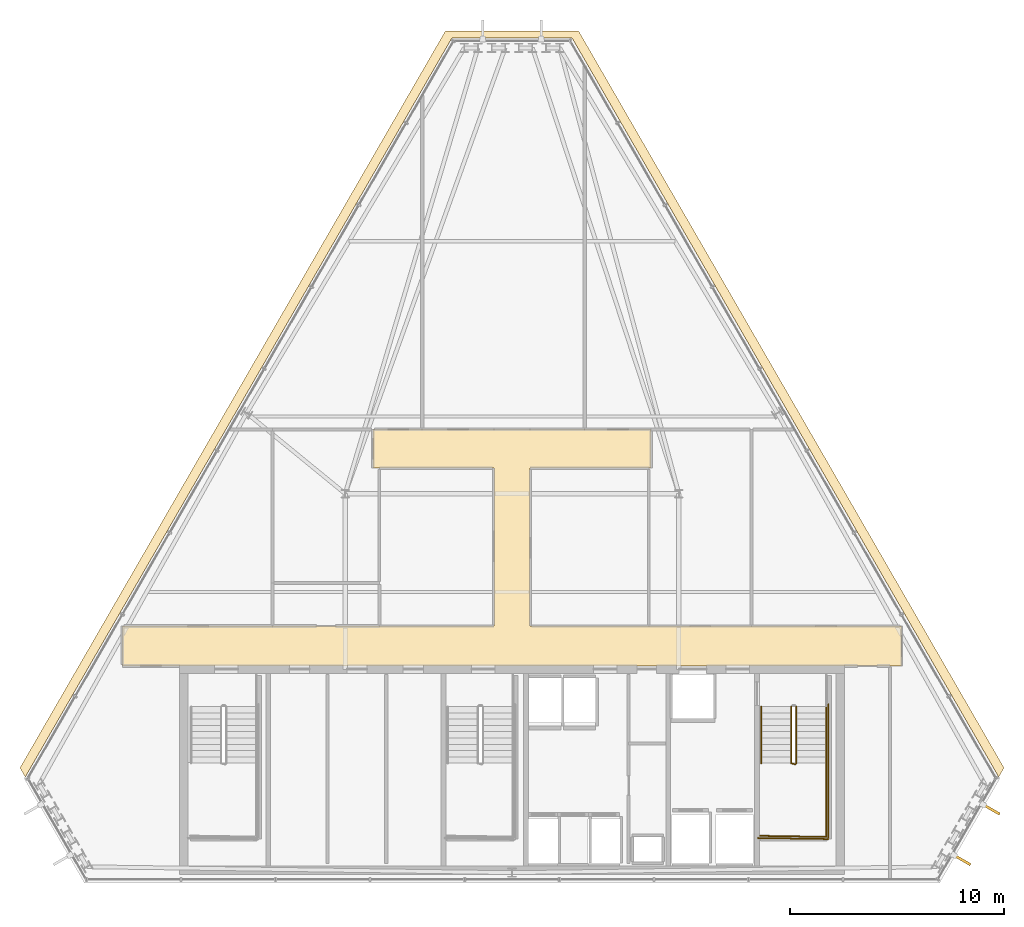
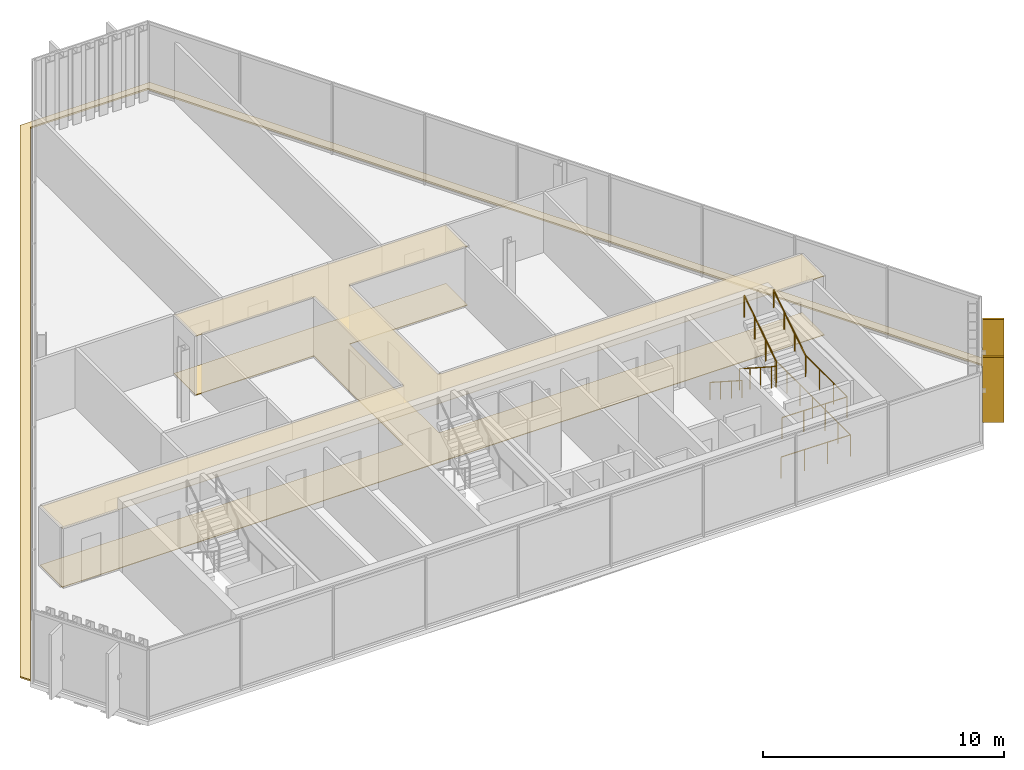
# One storey, part 33 of 34: 6 railings, 3 coverings, 2 shading devices.
"""IFC4 building model written with IfcOpenShell, lengths in metres."""

from ifc_helpers import new_model, si_unit, direction, frame, origin, origin_2d, place, context, subcontext, project, spatial, polyline, rectangle, circle, outline, extrude, material, layer, layer_set, type_object, element, save


model = new_model("IFC4")

# Units and contexts
model_context = context("Model", 3, precision=1e-05, world=origin(), true_north=direction((0.0, 1.0)))
body_context = subcontext(model_context, "Body", "Model", "MODEL_VIEW")
ifc_project = project(units=[si_unit("LENGTHUNIT", "METRE"), si_unit("AREAUNIT", "SQUARE_METRE"), si_unit("VOLUMEUNIT", "CUBIC_METRE"), si_unit("PLANEANGLEUNIT", "RADIAN"), si_unit("MASSUNIT", "GRAM", prefix="KILO")], contexts=[model_context])

# Site, building, storey
site_placement = place(None, origin())
site = spatial("IfcSite", under=ifc_project, at=site_placement, CompositionType="ELEMENT")
building_placement = place(site_placement, origin())
building = spatial("IfcBuilding", under=site, at=building_placement, Name="Ndaravel Arena Tower", CompositionType="ELEMENT")
storey_placement = place(building_placement, frame((0.0, 0.0, 263.60009765625)))
storey = spatial("IfcBuildingStorey", under=building, at=storey_placement, Name="L64", CompositionType="ELEMENT", Elevation=263.60009765625)

# Coverings
ifc_material_1 = material(Name="Acoustic Ceiling Tile", Category="finish")
ifc_layer_1 = layer(ifc_material_1, 0.02490234375)
ifc_layer_set_1 = layer_set([ifc_layer_1], Name="Acoustic Ceiling Tile")
covering_type_1 = type_object("IfcCoveringType", Name="COV-CEIL-AC600", PredefinedType="CEILING", material=ifc_layer_set_1)
covering_1_placement = place(storey_placement, frame((0.0, 0.0, 2.98046875)))
element("IfcCovering", 1, at=covering_1_placement, inside=storey, type_object=covering_type_1, Name="L64 Corridor Acoustic Ceiling", PredefinedType="CEILING", context=body_context, shape_type="SweptSolid", body=[
    extrude(outline(polyline([(60.216064453125, 17.0), (42.85009765625, 17.0), (42.85009765625, 24.39990234375), (48.5, 24.39990234375), (48.5, 26.199951171875), (42.85009765625, 26.199951171875), (41.14990234375, 26.199951171875), (35.5, 26.199951171875), (35.5, 24.39990234375), (41.14990234375, 24.39990234375), (41.14990234375, 17.0), (23.783935546875, 17.0), (23.783935546875, 15.14990234375), (60.216064453125, 15.14990234375), (60.216064453125, 17.0)])), origin(), (0.0, 0.0, 1.0), 0.02490234375),
])
ifc_material_2 = material(Name="Terrazzo", Category="stone")
ifc_layer_2 = layer(ifc_material_2, 0.030029296875)
ifc_layer_set_2 = layer_set([ifc_layer_2], Name="Terrazzo")
covering_type_2 = type_object("IfcCoveringType", Name="COV-FLOOR-TERRAZZO", PredefinedType="FLOORING", material=ifc_layer_set_2)
covering_2_placement = place(storey_placement, origin())
element("IfcCovering", 2, at=covering_2_placement, inside=storey, type_object=covering_type_2, Name="L64 Corridor Terrazzo Flooring", PredefinedType="FLOORING", context=body_context, shape_type="SweptSolid", body=[
    extrude(outline(polyline([(60.216064453125, 17.0), (42.85009765625, 17.0), (42.85009765625, 24.39990234375), (48.5, 24.39990234375), (48.5, 26.199951171875), (42.85009765625, 26.199951171875), (41.14990234375, 26.199951171875), (35.5, 26.199951171875), (35.5, 24.39990234375), (41.14990234375, 24.39990234375), (41.14990234375, 17.0), (23.783935546875, 17.0), (23.783935546875, 15.14990234375), (60.216064453125, 15.14990234375), (60.216064453125, 17.0)])), origin(), (0.0, 0.0, 1.0), 0.02978515625),
])
ifc_material_3 = material(Name="Roofing Membrane", Category="finish")
ifc_layer_3 = layer(ifc_material_3, 0.080078125)
ifc_layer_set_3 = layer_set([ifc_layer_3], Name="Roofing Membrane")
covering_type_3 = type_object("IfcCoveringType", Name="COV-ROOF-MEMB", PredefinedType="ROOFING", material=ifc_layer_set_3)
covering_3_placement = place(storey_placement, origin())
element("IfcCovering", 3, at=covering_3_placement, inside=storey, type_object=covering_type_3, Name="L64 Facet Setback Weathering Flashing", PredefinedType="ROOFING", context=body_context, shape_type="SweptSolid", body=[
    extrude(outline(polyline([(18.99853515625, 10.3798828125), (38.893798828125, 44.839599609375), (45.106201171875, 44.839599609375), (65.00146484375, 10.3798828125), (64.75537109375, 9.95361328125), (44.81103515625, 44.498291015625), (39.18896484375, 44.498291015625), (19.24462890625, 9.95361328125), (18.99853515625, 10.3798828125)])), origin(), (0.0, 0.0, 1.0), 0.079833984375),
])

# Railings
ifc_material_4 = material(Name="Steel S355", Category="steel")
ifc_layer_4 = layer(ifc_material_4, 0.06005859375)
ifc_layer_set_4 = layer_set([ifc_layer_4], Name="Steel S355")
railing_type_1 = type_object("IfcRailingType", Name="RAIL-STAIR-GD1100", PredefinedType="GUARDRAIL", material=ifc_layer_set_4)
railing_1_placement = place(storey_placement, frame((55.050048828125, 13.25, 0.18994140625)))
element("IfcRailing", 4, at=railing_1_placement, inside=storey, type_object=railing_type_1, Name="L64 ST-3 stair guard 1", PredefinedType="GUARDRAIL", context=body_context, shape_type="SweptSolid", body=[
    extrude(circle(Radius=0.02392578125, at=origin_2d()), frame((0.0, 0.0, 1.076171875), z_axis=(0.0, -0.840723540582, 0.54146461409), x_axis=(1.0, 0.0, 0.0)), (0.0, 0.0, 1.0), 3.157958984375),
    extrude(circle(Radius=0.02392578125, at=origin_2d()), frame((0.0, -2.655029296875, 2.7861328125), z_axis=(0.966993988697, -0.254799187253, 0.0), x_axis=(0.254799187253, 0.966993988697, 0.0)), (0.0, 0.0, 1.0), 0.196533203125),
    extrude(circle(Radius=0.02099609375, at=origin_2d()), origin(), (0.0, 0.0, 1.0), 1.052001953125),
    extrude(circle(Radius=0.02099609375, at=origin_2d()), frame((0.0, -0.885009765625, 0.570068359375)), (0.0, 0.0, 1.0), 1.052001953125),
    extrude(circle(Radius=0.02099609375, at=origin_2d()), frame((0.0, -1.77001953125, 1.139892578125)), (0.0, 0.0, 1.0), 1.052001953125),
    extrude(circle(Radius=0.02099609375, at=origin_2d()), frame((0.0, -2.655029296875, 1.7099609375)), (0.0, 0.0, 1.0), 1.052001953125),
    extrude(circle(Radius=0.02099609375, at=origin_2d()), frame((0.18994140625, -2.705078125, 1.7099609375)), (0.0, 0.0, 1.0), 1.052001953125),
])
railing_2_placement = place(storey_placement, frame((56.68994140625, 10.594970703125, 1.89990234375)))
element("IfcRailing", 5, at=railing_2_placement, inside=storey, type_object=railing_type_1, Name="L64 ST-3 stair guard 2", PredefinedType="GUARDRAIL", context=body_context, shape_type="SweptSolid", body=[
    extrude(circle(Radius=0.02392578125, at=origin_2d()), frame((0.0, 0.0, 1.076171875), z_axis=(0.0, -1.0, 0.0), x_axis=(1.0, 0.0, 0.0)), (0.0, 0.0, 1.0), 3.445068359375),
    extrude(circle(Radius=0.02392578125, at=origin_2d()), frame((0.0, -3.445068359375, 1.076171875), z_axis=(-0.999868840623, 0.016195726322, 0.0), x_axis=(-0.016195726322, -0.999868840623, 0.0)), (0.0, 0.0, 1.0), 3.09033203125),
    extrude(circle(Radius=0.02099609375, at=origin_2d()), origin(), (0.0, 0.0, 1.0), 1.052001953125),
    extrude(circle(Radius=0.02099609375, at=origin_2d()), frame((0.0, -1.1484375, 0.0)), (0.0, 0.0, 1.0), 1.052001953125),
    extrude(circle(Radius=0.02099609375, at=origin_2d()), frame((0.0, -2.296630859375, 0.0)), (0.0, 0.0, 1.0), 1.052001953125),
    extrude(circle(Radius=0.02099609375, at=origin_2d()), frame((0.0, -3.445068359375, 0.0)), (0.0, 0.0, 1.0), 1.052001953125),
    extrude(circle(Radius=0.02099609375, at=origin_2d()), frame((-1.030029296875, -3.428466796875, 0.0)), (0.0, 0.0, 1.0), 1.052001953125),
    extrude(circle(Radius=0.02099609375, at=origin_2d()), frame((-2.059814453125, -3.41162109375, 0.0)), (0.0, 0.0, 1.0), 1.052001953125),
    extrude(circle(Radius=0.02099609375, at=origin_2d()), frame((-3.08984375, -3.39501953125, 0.0)), (0.0, 0.0, 1.0), 1.052001953125),
])
railing_3_placement = place(storey_placement, frame((55.2900390625, 10.594970703125, 2.08984375)))
element("IfcRailing", 6, at=railing_3_placement, inside=storey, type_object=railing_type_1, Name="L64 ST-3 stair guard 3", PredefinedType="GUARDRAIL", context=body_context, shape_type="SweptSolid", body=[
    extrude(circle(Radius=0.02392578125, at=origin_2d()), frame((0.0, 0.0, 1.076171875), z_axis=(0.0, 0.840723540582, 0.54146461409), x_axis=(-1.0, 0.0, 0.0)), (0.0, 0.0, 1.0), 3.157958984375),
    extrude(circle(Radius=0.02099609375, at=origin_2d()), origin(), (0.0, 0.0, 1.0), 1.052001953125),
    extrude(circle(Radius=0.02099609375, at=origin_2d()), frame((0.0, 0.885009765625, 0.570068359375)), (0.0, 0.0, 1.0), 1.052001953125),
    extrude(circle(Radius=0.02099609375, at=origin_2d()), frame((0.0, 1.77001953125, 1.139892578125)), (0.0, 0.0, 1.0), 1.052001953125),
    extrude(circle(Radius=0.02099609375, at=origin_2d()), frame((0.0, 2.655029296875, 1.7099609375)), (0.0, 0.0, 1.0), 1.052001953125),
])
railing_4_placement = place(storey_placement, frame((56.7900390625, 13.35009765625, 0.0)))
element("IfcRailing", 7, at=railing_4_placement, inside=storey, type_object=railing_type_1, Name="L64 ST-3 stair guard 6", PredefinedType="GUARDRAIL", context=body_context, shape_type="SweptSolid", body=[
    extrude(circle(Radius=0.02392578125, at=origin_2d()), frame((0.0, 0.0, 1.076171875), z_axis=(0.0, -1.0, 0.0), x_axis=(1.0, 0.0, 0.0)), (0.0, 0.0, 1.0), 6.300048828125),
    extrude(circle(Radius=0.02392578125, at=origin_2d()), frame((0.0, -6.300048828125, 1.076171875), z_axis=(-0.99988431412, 0.015210469308, 0.0), x_axis=(-0.015210469308, -0.99988431412, 0.0)), (0.0, 0.0, 1.0), 3.29052734375),
    extrude(circle(Radius=0.02099609375, at=origin_2d()), origin(), (0.0, 0.0, 1.0), 1.052001953125),
    extrude(circle(Radius=0.02099609375, at=origin_2d()), frame((0.0, -1.050048828125, 0.0)), (0.0, 0.0, 1.0), 1.052001953125),
    extrude(circle(Radius=0.02099609375, at=origin_2d()), frame((0.0, -2.10009765625, 0.0)), (0.0, 0.0, 1.0), 1.052001953125),
    extrude(circle(Radius=0.02099609375, at=origin_2d()), frame((0.0, -3.14990234375, 0.0)), (0.0, 0.0, 1.0), 1.052001953125),
    extrude(circle(Radius=0.02099609375, at=origin_2d()), frame((0.0, -4.199951171875, 0.0)), (0.0, 0.0, 1.0), 1.052001953125),
    extrude(circle(Radius=0.02099609375, at=origin_2d()), frame((0.0, -5.25, 0.0)), (0.0, 0.0, 1.0), 1.052001953125),
    extrude(circle(Radius=0.02099609375, at=origin_2d()), frame((0.0, -6.300048828125, 0.0)), (0.0, 0.0, 1.0), 1.052001953125),
    extrude(circle(Radius=0.02099609375, at=origin_2d()), frame((-1.0966796875, -6.283447265625, 0.0)), (0.0, 0.0, 1.0), 1.052001953125),
    extrude(circle(Radius=0.02099609375, at=origin_2d()), frame((-2.193359375, -6.2666015625, 0.0)), (0.0, 0.0, 1.0), 1.052001953125),
    extrude(circle(Radius=0.02099609375, at=origin_2d()), frame((-3.2900390625, -6.25, 0.0)), (0.0, 0.0, 1.0), 1.052001953125),
])
ifc_material_5 = material(Name="Steel S355", Category="steel")
ifc_layer_5 = layer(ifc_material_5, 0.050048828125)
ifc_layer_set_5 = layer_set([ifc_layer_5], Name="Steel S355")
railing_type_2 = type_object("IfcRailingType", Name="RAIL-STAIR-HR920", PredefinedType="HANDRAIL", material=ifc_layer_set_5)
railing_5_placement = place(storey_placement, frame((53.64990234375, 13.25, 0.18994140625)))
element("IfcRailing", 8, at=railing_5_placement, inside=storey, type_object=railing_type_2, Name="L64 ST-3 stair handrail 1", PredefinedType="HANDRAIL", context=body_context, shape_type="SweptSolid", body=[
    extrude(circle(Radius=0.02392578125, at=origin_2d()), frame((0.0, 0.0, 0.8759765625), z_axis=(0.0, -0.840723540582, 0.54146461409), x_axis=(1.0, 0.0, 0.0)), (0.0, 0.0, 1.0), 3.157958984375),
    extrude(circle(Radius=0.02099609375, at=origin_2d()), origin(), (0.0, 0.0, 1.0), 0.851806640625),
    extrude(circle(Radius=0.02099609375, at=origin_2d()), frame((0.0, -0.885009765625, 0.570068359375)), (0.0, 0.0, 1.0), 0.851806640625),
    extrude(circle(Radius=0.02099609375, at=origin_2d()), frame((0.0, -1.77001953125, 1.139892578125)), (0.0, 0.0, 1.0), 0.851806640625),
    extrude(circle(Radius=0.02099609375, at=origin_2d()), frame((0.0, -2.655029296875, 1.7099609375)), (0.0, 0.0, 1.0), 0.851806640625),
])
railing_6_placement = place(storey_placement, frame((56.68994140625, 10.594970703125, 2.08984375)))
element("IfcRailing", 9, at=railing_6_placement, inside=storey, type_object=railing_type_2, Name="L64 ST-3 stair handrail 2", PredefinedType="HANDRAIL", context=body_context, shape_type="SweptSolid", body=[
    extrude(circle(Radius=0.02392578125, at=origin_2d()), frame((0.0, 0.0, 0.8759765625), z_axis=(0.0, 0.840723540582, 0.54146461409), x_axis=(-1.0, 0.0, 0.0)), (0.0, 0.0, 1.0), 3.157958984375),
    extrude(circle(Radius=0.02099609375, at=origin_2d()), origin(), (0.0, 0.0, 1.0), 0.851806640625),
    extrude(circle(Radius=0.02099609375, at=origin_2d()), frame((0.0, 0.885009765625, 0.570068359375)), (0.0, 0.0, 1.0), 0.851806640625),
    extrude(circle(Radius=0.02099609375, at=origin_2d()), frame((0.0, 1.77001953125, 1.139892578125)), (0.0, 0.0, 1.0), 0.851806640625),
    extrude(circle(Radius=0.02099609375, at=origin_2d()), frame((0.0, 2.655029296875, 1.7099609375)), (0.0, 0.0, 1.0), 0.851806640625),
])

# Shading devices
ifc_material_6 = material(Name="Masonry", Category="masonry")
shading_device_type = type_object("IfcShadingDeviceType", Name="SHD-MAZERAS-FIN", PredefinedType="SHUTTER", material=ifc_material_6)
for number, where, z_axis, x_axis, name in (
    (10, (63.0458984375, 6.0751953125, 0.14990234375), (0.0, 0.0, 1.0), (0.866025403784, -0.5, 0.0), "L64 Mazeras Stone Solar Fin E2.1"),
    (11, (64.4111328125, 8.439697265625, 0.14990234375), (0.0, 0.0, 1.0), (0.866025403784, -0.5, 0.0), "L64 Mazeras Stone Solar Fin E2.2"),
):
    element("IfcShadingDevice", number, at=place(storey_placement, frame(where, z_axis=z_axis, x_axis=x_axis)), inside=storey, type_object=shading_device_type, Name=name, PredefinedType="SHUTTER", context=body_context, shape_type="SweptSolid", body=[
        extrude(rectangle(XDim=0.89990234375, YDim=0.1201171875, at=origin_2d()), origin(), (0.0, 0.0, 1.0), 3.280029296875),
    ])

save(model, "model.ifc")
